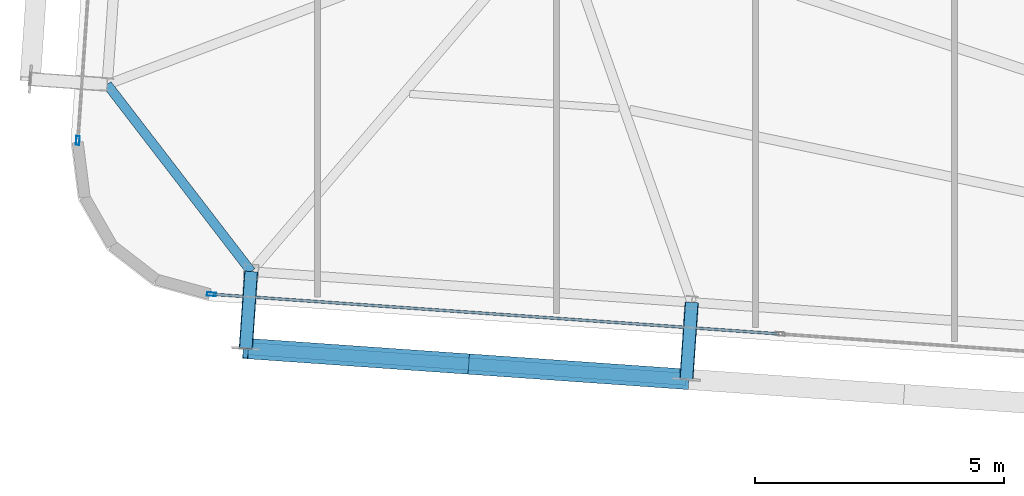
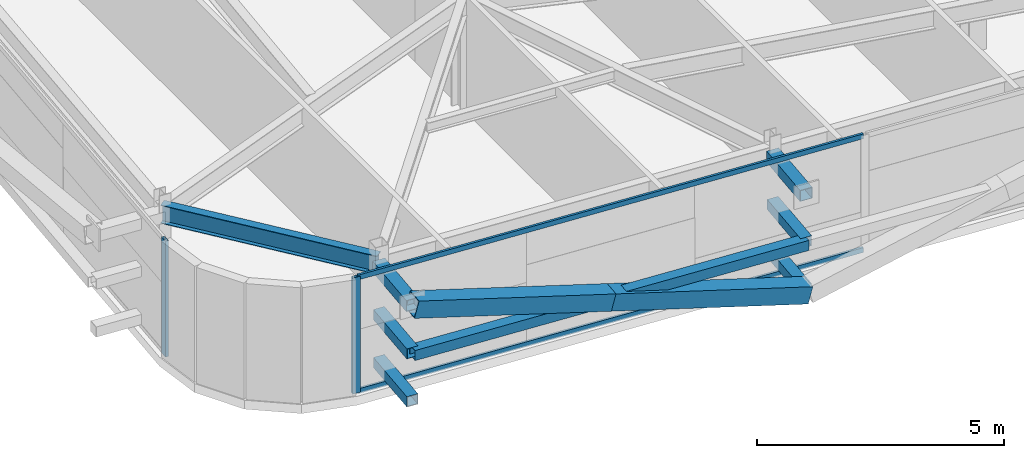
# One storey, part 6 of 39: 13 members, 1 beam, 2 elements without a shape of their own.
"""IFC4 building model written with IfcOpenShell, lengths in metres."""

from ifc_helpers import new_model, si_unit, direction, frame, origin, origin_2d, place, context, subcontext, project, spatial, hollow_rectangle, i_section, extrude, source, transform, mapped, material, layer, layer_set, material_profile, profile_set, type_object, element, aggregate, save


model = new_model("IFC4")

# Units and contexts
model_context = context("Model", 3, precision=1e-05, world=origin(), true_north=direction((0.0, 1.0)))
body_context = subcontext(model_context, "Body", "Model", "MODEL_VIEW")
ifc_project = project(units=[si_unit("LENGTHUNIT", "METRE"), si_unit("AREAUNIT", "SQUARE_METRE"), si_unit("VOLUMEUNIT", "CUBIC_METRE"), si_unit("PLANEANGLEUNIT", "RADIAN"), si_unit("MASSUNIT", "GRAM", prefix="KILO")], contexts=[model_context])

# Site, building, storey
site_placement = place(None, origin())
site = spatial("IfcSite", under=ifc_project, at=site_placement, CompositionType="ELEMENT")
building_placement = place(site_placement, origin())
building = spatial("IfcBuilding", under=site, at=building_placement, Name="Taldren Reach Tower", CompositionType="ELEMENT")
storey_placement = place(building_placement, frame((0.0, 0.0, 161.35009765625)))
storey = spatial("IfcBuildingStorey", under=building, at=storey_placement, Name="L49", CompositionType="ELEMENT", Elevation=161.35009765625)

# Members
ifc_material_1 = material(Name="Steel Gr 450 (C450L0)", Category="steel")
ifc_material_profile_1 = material_profile(ifc_material_1, hollow_rectangle(XDim=0.27490234375, YDim=0.27490234375, WallThickness=0.00927734375, at=origin_2d()), Name="275x275x9.3SHS")
ifc_profile_set_1 = profile_set([ifc_material_profile_1], Name="Steel Gr 450 (C450L0)")
member_type_1 = type_object("IfcMemberType", Name="MB-TIE273", PredefinedType="STRUT", material=ifc_profile_set_1)
shared_shape_1 = source(origin(), body_context, "Body", "SweptSolid", [
    extrude(hollow_rectangle(XDim=0.27490234375, YDim=0.27490234375, WallThickness=0.00927734375, at=origin_2d()), origin(), (0.0, 0.0, 1.0), 1.5498046875),
])
for number, where, z_axis, x_axis, name in (
    (1, (11.863525390625, 5.33837890625, 2.58984375), (-0.069780535098, -0.997562367434, 0.0), (0.997562367434, -0.069780535098, 0.0), "Exoskeleton diaphragm tie strut B3-S1 L49"),
    (2, (20.721923828125, 4.718994140625, 2.58984375), (-0.069780535098, -0.997562367434, 0.0), (0.997562367434, -0.069780535098, 0.0), "Exoskeleton diaphragm tie strut B3-S2 L49"),
):
    element("IfcMember", number, at=place(storey_placement, frame(where, z_axis=z_axis, x_axis=x_axis)), inside=storey, type_object=member_type_1, Name=name, PredefinedType="STRUT", context=body_context, shape_type="MappedRepresentation", body=[
        mapped(shared_shape_1, transform((0.0, 0.0, 0.0), scale=1.0)),
    ])
ifc_material_2 = material(Name="Steel Gr 350 (C350L0)", Category="steel")
ifc_material_profile_2 = material_profile(ifc_material_2, hollow_rectangle(XDim=0.25, YDim=0.25, WallThickness=0.010009765625, at=origin_2d()), Name="250x250x10.0SHS")
ifc_profile_set_2 = profile_set([ifc_material_profile_2], Name="Steel Gr 350 (C350L0)")
member_type_2 = type_object("IfcMemberType", Name="MB-POST250", PredefinedType="POST", material=ifc_profile_set_2)
shared_shape_2 = source(origin(), body_context, "Body", "SweptSolid", [
    extrude(hollow_rectangle(XDim=0.25, YDim=0.25, WallThickness=0.010009765625, at=origin_2d()), origin(), (0.0, 0.0, 1.0), 1.5498046875),
])
for number, where, z_axis, x_axis, name in (
    (3, (11.863525390625, 5.33837890625, 0.219970703125), (-0.069780535098, -0.997562367434, 0.0), (0.997562367434, -0.069780535098, 0.0), "Exoskeleton base diaphragm tie strut B3-S1 L49"),
    (4, (20.721923828125, 4.718994140625, 0.219970703125), (-0.069780535098, -0.997562367434, 0.0), (0.997562367434, -0.069780535098, 0.0), "Exoskeleton base diaphragm tie strut B3-S2 L49"),
    (5, (11.863525390625, 5.33837890625, 1.40478515625), (-0.069780535098, -0.997562367434, 0.0), (0.997562367434, -0.069780535098, 0.0), "Exoskeleton mid-tier diaphragm tie B3-S1 L49"),
    (6, (20.721923828125, 4.718994140625, 1.40478515625), (-0.069780535098, -0.997562367434, 0.0), (0.997562367434, -0.069780535098, 0.0), "Exoskeleton mid-tier diaphragm tie B3-S2 L49"),
):
    element("IfcMember", number, at=place(storey_placement, frame(where, z_axis=z_axis, x_axis=x_axis)), inside=storey, type_object=member_type_2, Name=name, PredefinedType="POST", context=body_context, shape_type="MappedRepresentation", body=[
        mapped(shared_shape_2, transform((0.0, 0.0, 0.0), scale=1.0)),
    ])

# Beam
ifc_material_3 = material(Name="Steel Gr 350 (350PLUS)", Category="steel")
ifc_material_profile_3 = material_profile(ifc_material_3, i_section(OverallWidth=0.18994140625, OverallDepth=0.4541015625, WebThickness=0.008544921875, FlangeThickness=0.0126953125, at=origin_2d()), Name="460UB67.1")
ifc_profile_set_3 = profile_set([ifc_material_profile_3], Name="Steel Gr 350 (350PLUS)")
beam_type = type_object("IfcBeamType", Name="SP-UB460B", PredefinedType="SPANDREL", material=ifc_profile_set_3)
shared_shape_3 = source(origin(), body_context, "Body", "SweptSolid", [
    extrude(i_section(OverallWidth=0.18994140625, OverallDepth=0.4541015625, WebThickness=0.008544921875, FlangeThickness=0.0126953125, at=origin_2d()), origin(), (0.0, 0.0, 1.0), 4.746337890625),
])
beam_placement = place(storey_placement, frame((8.96875, 9.099609375, 2.642822265625), z_axis=(0.609912099004, -0.792469072891, 0.0), x_axis=(0.792469072891, 0.609912099004, 0.0)))
element("IfcBeam", 7, at=beam_placement, inside=storey, type_object=beam_type, Name="Perimeter spandrel B3 W1-S1 L49", PredefinedType="SPANDREL", context=body_context, shape_type="MappedRepresentation", body=[
    mapped(shared_shape_3, transform((0.0, 0.0, 0.0), scale=1.0)),
])

# Members
shared_shape_4 = source(origin(), body_context, "Body", "SweptSolid", [
    extrude(hollow_rectangle(XDim=0.25, YDim=0.25, WallThickness=0.010009765625, at=origin_2d()), origin(), (0.0, 0.0, 1.0), 8.880126953125),
])
member_1_placement = place(storey_placement, frame((11.75537109375, 3.792236328125, 1.40478515625), z_axis=(0.997564479639, -0.069750333063, 0.0), x_axis=(0.069750333063, 0.997564479639, 0.0)))
element("IfcMember", 8, at=member_1_placement, inside=storey, type_object=member_type_2, Name="Exoskeleton mid-height ring chord B3-S1 L49", PredefinedType="POST", context=body_context, shape_type="MappedRepresentation", body=[
    mapped(shared_shape_4, transform((0.0, 0.0, 0.0), scale=1.0)),
])
ifc_material_profile_4 = material_profile(ifc_material_1, hollow_rectangle(XDim=0.409912109375, YDim=0.409912109375, WallThickness=0.01611328125, at=origin_2d()), Name="410x410x16.0SHS")
ifc_profile_set_4 = profile_set([ifc_material_profile_4], Name="Steel Gr 450 (C450L0)")
member_type_3 = type_object("IfcMemberType", Name="MB-EXO406", PredefinedType="BRACE", material=ifc_profile_set_4)
shared_shape_5 = source(origin(), body_context, "Body", "SweptSolid", [
    extrude(hollow_rectangle(XDim=0.409912109375, YDim=0.409912109375, WallThickness=0.01611328125, at=origin_2d()), origin(), (0.0, 0.0, 1.0), 4.595458984375),
])
for number, where, z_axis, x_axis, name in (
    (9, (20.61376953125, 3.1728515625, 0.219970703125), (-0.963839535663, 0.0673657001, 0.257827872703), (-0.069722973508, -0.997566392259, 0.0), "Exoskeleton Diagrid Brace B3-S1 L49"),
    (10, (16.1845703125, 3.482421875, 1.40478515625), (-0.96382288138, 0.067417662687, 0.257876544274), (-0.06977769246, -0.997562566276, 0.0), "Exoskeleton Diagrid Brace B3-S1 L49"),
):
    element("IfcMember", number, at=place(storey_placement, frame(where, z_axis=z_axis, x_axis=x_axis)), inside=storey, type_object=member_type_3, Name=name, PredefinedType="BRACE", context=body_context, shape_type="MappedRepresentation", body=[
        mapped(shared_shape_5, transform((0.0, 0.0, 0.0), scale=1.0)),
    ])

# Curtain wall, members
ifc_material_4 = material(Name="Aluminium and Low-E Glass Unitised System", Category="aluminium")
ifc_layer = layer(ifc_material_4, 0.159912109375)
ifc_layer_set = layer_set([ifc_layer], Name="Aluminium and Low-E Glass Unitised System")
curtain_wall_type = type_object("IfcCurtainWallType", Name="CW-SYS-4", PredefinedType="NOTDEFINED", material=ifc_layer_set)
curtain_wall_1_placement = place(storey_placement, origin())
curtain_wall_1 = element("IfcCurtainWall", 11, at=curtain_wall_1_placement, inside=storey, type_object=curtain_wall_type, Name="Unitised curtain wall CW-L49-S", PredefinedType="NOTDEFINED")
ifc_material_5 = material(Name="Anodised Aluminium 6063-T6", Category="aluminium")
ifc_material_profile_5 = material_profile(ifc_material_5, hollow_rectangle(XDim=0.054931640625, YDim=0.1201171875, WallThickness=0.0029296875, at=origin_2d()), Name="ALU-120x55x3RHS")
ifc_profile_set_5 = profile_set([ifc_material_profile_5], Name="Anodised Aluminium 6063-T6")
member_type_4 = type_object("IfcMemberType", Name="CW-TRN-135", PredefinedType="USERDEFINED", material=ifc_profile_set_5)
shared_shape_6 = source(origin(), body_context, "Body", "SweptSolid", [
    extrude(hollow_rectangle(XDim=0.054931640625, YDim=0.1201171875, WallThickness=0.0029296875, at=origin_2d()), origin(), (0.0, 0.0, 1.0), 11.39501953125),
])
member_2_placement = place(storey_placement, frame((11.099853515625, 4.880615234375, 0.02734375), z_axis=(0.997563740682, -0.069760900766, 0.0), x_axis=(0.069760900766, 0.997563740682, 0.0)))
member_2 = element("IfcMember", 12, at=member_2_placement, type_object=member_type_4, Name="CW-4 transom 1.1", ObjectType="TRANSOM", PredefinedType="USERDEFINED", context=body_context, shape_type="MappedRepresentation", body=[
    mapped(shared_shape_6, transform((0.0, 0.0, 0.0), scale=1.0)),
])
member_3_placement = place(storey_placement, frame((11.099853515625, 4.880615234375, 2.84228515625), z_axis=(0.997563740682, -0.069760900766, 0.0), x_axis=(0.069760900766, 0.997563740682, 0.0)))
member_3 = element("IfcMember", 13, at=member_3_placement, type_object=member_type_4, Name="CW-4 transom 1.2", ObjectType="TRANSOM", PredefinedType="USERDEFINED", context=body_context, shape_type="MappedRepresentation", body=[
    mapped(shared_shape_6, transform((0.0, 0.0, 0.0), scale=1.0)),
])
ifc_material_profile_6 = material_profile(ifc_material_5, hollow_rectangle(XDim=0.070068359375, YDim=0.179931640625, WallThickness=0.00390625, at=origin_2d()), Name="ALU-180x70x4RHS")
ifc_profile_set_6 = profile_set([ifc_material_profile_6], Name="Anodised Aluminium 6063-T6")
member_type_5 = type_object("IfcMemberType", Name="CW-MUL-180", PredefinedType="MULLION", material=ifc_profile_set_6)
shared_shape_7 = source(origin(), body_context, "Body", "SweptSolid", [
    extrude(hollow_rectangle(XDim=0.070068359375, YDim=0.179931640625, WallThickness=0.00390625, at=origin_2d()), origin(), (0.0, 0.0, 1.0), 2.869873046875),
])
member_4_placement = place(storey_placement, frame((11.06494140625, 4.883056640625, 0.0), z_axis=(0.0, 0.0, 1.0), x_axis=(0.06975651593, 0.99756404731, 0.0)))
member_4 = element("IfcMember", 14, at=member_4_placement, type_object=member_type_5, Name="CW-4 mullion 1", PredefinedType="MULLION", context=body_context, shape_type="MappedRepresentation", body=[
    mapped(shared_shape_7, transform((0.0, 0.0, 0.0), scale=1.0)),
])
aggregate(curtain_wall_1, [member_4, member_2, member_3])

# Curtain wall, member
curtain_wall_2_placement = place(storey_placement, origin())
curtain_wall_2 = element("IfcCurtainWall", 15, at=curtain_wall_2_placement, inside=storey, type_object=curtain_wall_type, Name="Unitised curtain wall CW-L49-W", PredefinedType="NOTDEFINED")
member_5_placement = place(storey_placement, frame((8.37890625, 7.972900390625, 0.0), z_axis=(0.0, 0.0, 1.0), x_axis=(0.997564052812, -0.069756437251, 0.0)))
member_5 = element("IfcMember", 16, at=member_5_placement, type_object=member_type_5, Name="CW-4 mullion 3", PredefinedType="MULLION", context=body_context, shape_type="MappedRepresentation", body=[
    mapped(shared_shape_7, transform((0.0, 0.0, 0.0), scale=1.0)),
])
aggregate(curtain_wall_2, [member_5])

save(model, "model.ifc")
